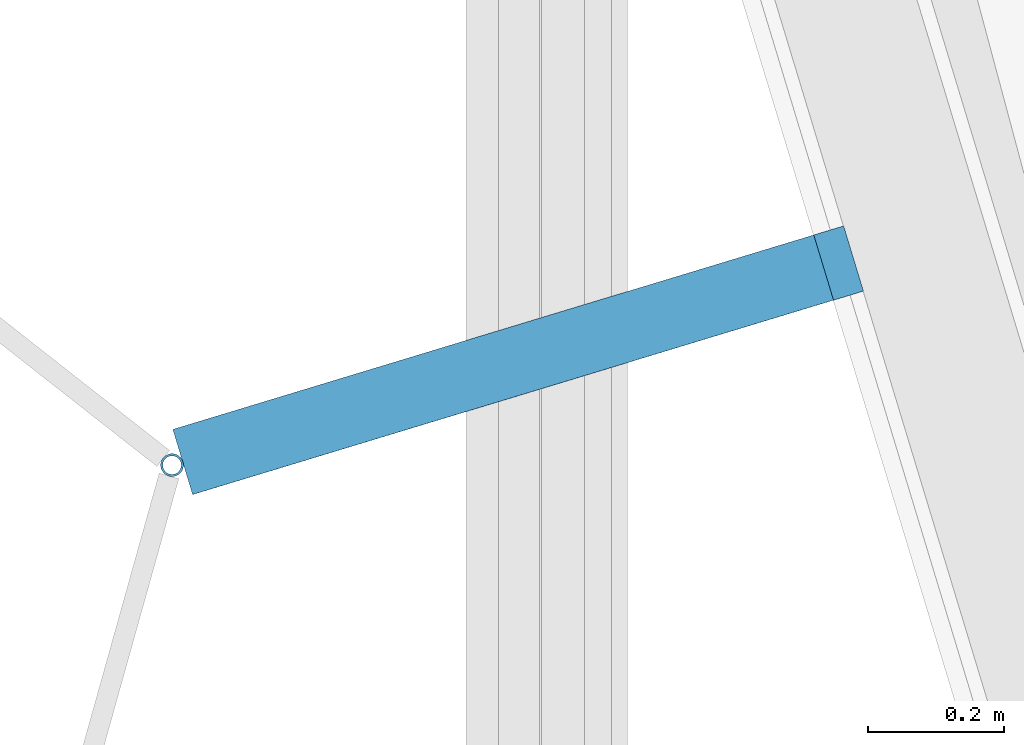
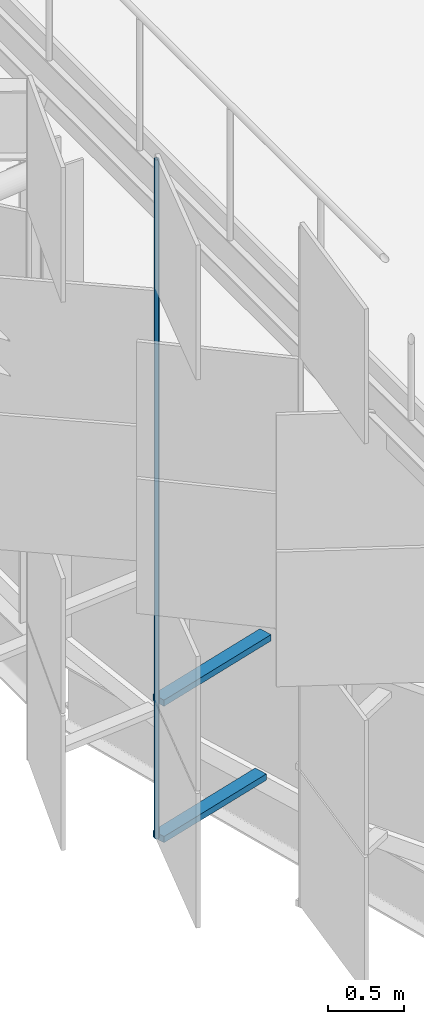
# One storey, part 167 of 483: 3 discrete accessories.
"""IFC4 building model written with IfcOpenShell, lengths in metres."""

from ifc_helpers import new_model, si_unit, direction, frame, origin, origin_2d, place, context, subcontext, project, spatial, rectangle, hollow_circle, extrude, material, material_profile, profile_set, type_object, element, save


model = new_model("IFC4")

# Units and contexts
model_context = context("Model", 3, precision=1e-05, world=origin(), true_north=direction((0.0, 1.0)))
body_context = subcontext(model_context, "Body", "Model", "MODEL_VIEW")
ifc_project = project(units=[si_unit("LENGTHUNIT", "METRE"), si_unit("AREAUNIT", "SQUARE_METRE"), si_unit("VOLUMEUNIT", "CUBIC_METRE"), si_unit("PLANEANGLEUNIT", "RADIAN"), si_unit("MASSUNIT", "GRAM", prefix="KILO")], contexts=[model_context])

# Site, building, storey
site_placement = place(None, origin())
site = spatial("IfcSite", under=ifc_project, at=site_placement, CompositionType="ELEMENT")
building_placement = place(site_placement, origin())
building = spatial("IfcBuilding", under=site, at=building_placement, Name="Parallax Yard Mobility Hub", CompositionType="ELEMENT")
storey_placement = place(building_placement, frame((0.0, 0.0, 13.199951171875)))
storey = spatial("IfcBuildingStorey", under=building, at=storey_placement, Name="L04", CompositionType="ELEMENT", Elevation=13.199951171875)

# Discrete accessories
ifc_material_1 = material(Name="Steel ASTM A36, hot-dip galvanised", Category="steel")
discrete_accessory_type_1 = type_object("IfcDiscreteAccessoryType", Name="Hinge bracket plate 100x50", PredefinedType="BRACKET", material=ifc_material_1)
discrete_accessory_1_placement = place(storey_placement, frame((194.880615234375, 27.712158203125, -0.02490234375), z_axis=(0.0, 0.0, 1.0), x_axis=(-0.956940335732, -0.290284677254, 0.0)))
element("IfcDiscreteAccessory", 1, at=discrete_accessory_1_placement, inside=storey, type_object=discrete_accessory_type_1, Name="Hinge bracket plate bay 30.3 level L04", PredefinedType="BRACKET", context=body_context, shape_type="SweptSolid", body=[
    extrude(rectangle(XDim=0.984130859375, YDim=0.10009765625, at=origin_2d()), origin(), (0.0, 0.0, 1.0), 0.050048828125),
])
discrete_accessory_2_placement = place(storey_placement, frame((194.902587890625, 27.71875, 1.06982421875), z_axis=(0.0, 0.0, 1.0), x_axis=(-0.956940335732, -0.290284677254, 0.0)))
element("IfcDiscreteAccessory", 2, at=discrete_accessory_2_placement, inside=storey, type_object=discrete_accessory_type_1, Name="Hinge bracket plate bay 30.3 level L04", PredefinedType="BRACKET", context=body_context, shape_type="SweptSolid", body=[
    extrude(rectangle(XDim=1.030029296875, YDim=0.10009765625, at=origin_2d()), origin(), (0.0, 0.0, 1.0), 0.050048828125),
])
ifc_material_2 = material(Name="Steel ASTM A500 Gr C, hot-dip galvanised", Category="steel")
ifc_material_profile = material_profile(ifc_material_2, hollow_circle(Radius=0.016845703125, WallThickness=0.003173828125, at=origin_2d()), Name="CHS 33.7x3.2")
ifc_profile_set = profile_set([ifc_material_profile], Name="Steel ASTM A500 Gr C, hot-dip galvanised")
discrete_accessory_type_2 = type_object("IfcDiscreteAccessoryType", Name="Hinge post CHS 33.7x3.2", PredefinedType="BRACKET", material=ifc_profile_set)
discrete_accessory_3_placement = place(storey_placement, frame((194.39404296875, 27.564697265625, 0.0), z_axis=(0.0, 0.0, 1.0), x_axis=(1.0, 0.0, 0.0)))
element("IfcDiscreteAccessory", 3, at=discrete_accessory_3_placement, inside=storey, type_object=discrete_accessory_type_2, Name="Hinge post bay 30.3 level L04", PredefinedType="BRACKET", context=body_context, shape_type="SweptSolid", body=[
    extrude(hollow_circle(Radius=0.016845703125, WallThickness=0.003173828125, at=origin_2d()), origin(), (0.0, 0.0, 1.0), 5.449951171875),
])

save(model, "model.ifc")
